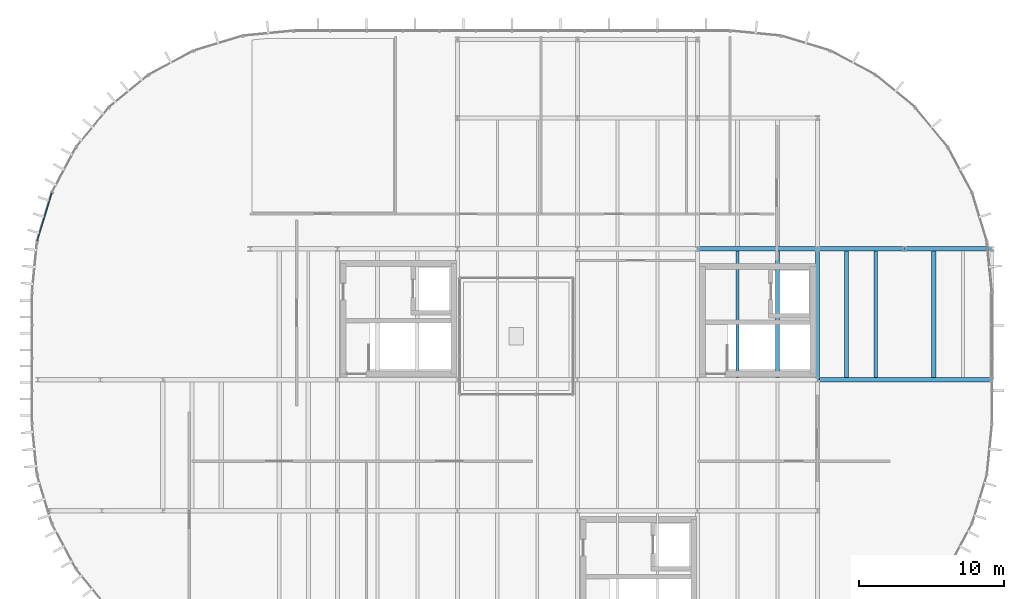
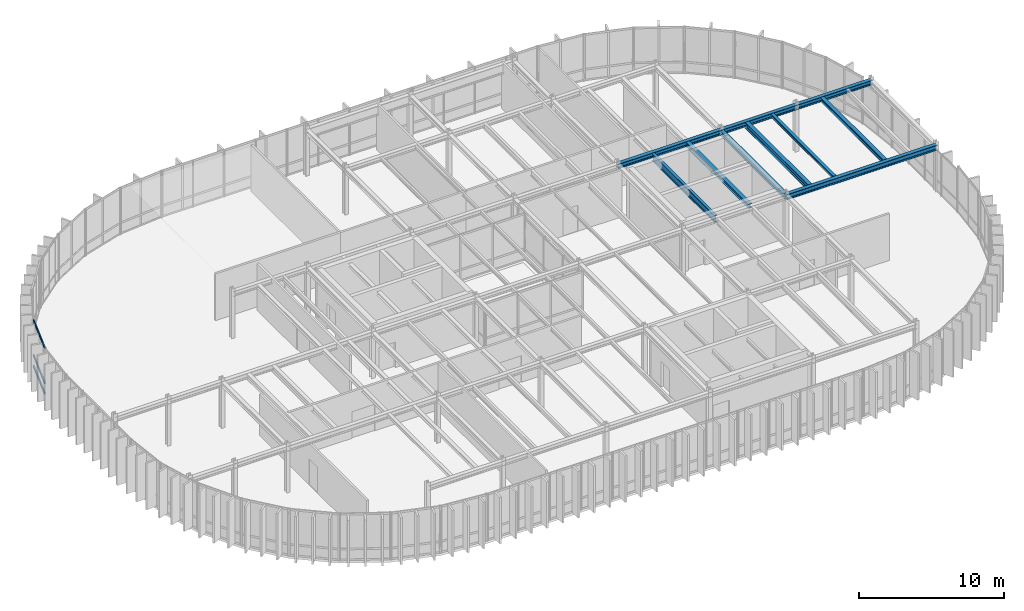
# One storey, part 12 of 21: 10 beams, 3 members, 1 element without a shape of its own.
"""IFC4 building model written with IfcOpenShell, lengths in metres."""

from ifc_helpers import new_model, si_unit, direction, frame, origin, origin_2d, place, context, subcontext, project, spatial, rectangle, i_section, extrude, material, layer, layer_set, material_profile, profile_set, type_object, element, aggregate, save


model = new_model("IFC4")

# Units and contexts
model_context = context("Model", 3, precision=1e-05, world=origin(), true_north=direction((0.0, 1.0)))
body_context = subcontext(model_context, "Body", "Model", "MODEL_VIEW")
ifc_project = project(units=[si_unit("LENGTHUNIT", "METRE"), si_unit("AREAUNIT", "SQUARE_METRE"), si_unit("VOLUMEUNIT", "CUBIC_METRE"), si_unit("PLANEANGLEUNIT", "RADIAN"), si_unit("MASSUNIT", "GRAM", prefix="KILO")], contexts=[model_context])

# Site, building, storey
site_placement = place(None, origin())
site = spatial("IfcSite", under=ifc_project, at=site_placement, CompositionType="ELEMENT")
building_placement = place(site_placement, origin())
building = spatial("IfcBuilding", under=site, at=building_placement, Name="Montealbar Specialist Clinic", CompositionType="ELEMENT")
storey_placement = place(building_placement, frame((0.0, 0.0, 26.39990234375)))
storey = spatial("IfcBuildingStorey", under=building, at=storey_placement, Name="L06", CompositionType="ELEMENT", Elevation=26.39990234375)

# Beams
ifc_material_1 = material(Name="Steel S355", Category="steel")
ifc_material_profile_1 = material_profile(ifc_material_1, i_section(OverallWidth=0.300048828125, OverallDepth=0.39990234375, WebThickness=0.013427734375, FlangeThickness=0.02392578125, FilletRadius=0.027099609375, at=origin_2d()), Name="HEB 400", Category="steel")
ifc_profile_set_1 = profile_set([ifc_material_profile_1], Name="Steel S355")
beam_type_1 = type_object("IfcBeamType", Name="BM-GIRD-HEB400-EXT", PredefinedType="BEAM", material=ifc_profile_set_1)
beam_1_placement = place(storey_placement, frame((90.75, 36.0, 3.72998046875), z_axis=(1.0, 0.0, 0.0), x_axis=(0.0, 1.0, 0.0)))
element("IfcBeam", 1, at=beam_1_placement, inside=storey, type_object=beam_type_1, Name="Beam GX-L06-908-990-360", PredefinedType="BEAM", context=body_context, shape_type="SweptSolid", body=[
    extrude(i_section(OverallWidth=0.300048828125, OverallDepth=0.39990234375, WebThickness=0.013427734375, FlangeThickness=0.02392578125, FilletRadius=0.027099609375, at=origin_2d()), origin(), (0.0, 0.0, 1.0), 8.25),
])
for number, where, z_axis, x_axis, name in (
    (2, (99.0, 36.0, 3.72998046875), (1.0, 0.0, 0.0), (0.0, 1.0, 0.0), "Beam GX-L06-990-1050-360"),
    (3, (105.0, 36.0, 3.72998046875), (1.0, 0.0, 0.0), (0.0, 1.0, 0.0), "Beam GX-L06-1050-1110-360"),
):
    element("IfcBeam", number, at=place(storey_placement, frame(where, z_axis=z_axis, x_axis=x_axis)), inside=storey, type_object=beam_type_1, Name=name, PredefinedType="BEAM", context=body_context, shape_type="SweptSolid", body=[
        extrude(i_section(OverallWidth=0.300048828125, OverallDepth=0.39990234375, WebThickness=0.013427734375, FlangeThickness=0.02392578125, FilletRadius=0.027099609375, at=origin_2d()), origin(), (0.0, 0.0, 1.0), 6.0),
    ])
beam_2_placement = place(storey_placement, frame((99.0, 27.0, 3.72998046875), z_axis=(0.0, 1.0, 0.0), x_axis=(-1.0, 0.0, 0.0)))
element("IfcBeam", 4, at=beam_2_placement, inside=storey, type_object=beam_type_1, Name="Beam GY-L06-990-270-360", PredefinedType="BEAM", context=body_context, shape_type="SweptSolid", body=[
    extrude(i_section(OverallWidth=0.300048828125, OverallDepth=0.39990234375, WebThickness=0.013427734375, FlangeThickness=0.02392578125, FilletRadius=0.027099609375, at=origin_2d()), origin(), (0.0, 0.0, 1.0), 9.0),
])
ifc_material_profile_2 = material_profile(ifc_material_1, i_section(OverallWidth=0.300048828125, OverallDepth=0.449951171875, WebThickness=0.013916015625, FlangeThickness=0.02587890625, FilletRadius=0.027099609375, at=origin_2d()), Name="HEB 450", Category="steel")
ifc_profile_set_2 = profile_set([ifc_material_profile_2], Name="Steel S355")
beam_type_2 = type_object("IfcBeamType", Name="BM-GIRD-HEB450-EXT", PredefinedType="BEAM", material=ifc_profile_set_2)
beam_3_placement = place(storey_placement, frame((99.0, 27.0, 3.705078125), z_axis=(1.0, 0.0, 0.0), x_axis=(0.0, 1.0, 0.0)))
element("IfcBeam", 5, at=beam_3_placement, inside=storey, type_object=beam_type_2, Name="Beam GX-L06-990-1110-270", PredefinedType="BEAM", context=body_context, shape_type="SweptSolid", body=[
    extrude(i_section(OverallWidth=0.300048828125, OverallDepth=0.449951171875, WebThickness=0.013916015625, FlangeThickness=0.02587890625, FilletRadius=0.027099609375, at=origin_2d()), origin(), (0.0, 0.0, 1.0), 12.0),
])
ifc_material_profile_3 = material_profile(ifc_material_1, i_section(OverallWidth=0.300048828125, OverallDepth=0.35009765625, WebThickness=0.010009765625, FlangeThickness=0.017578125, FilletRadius=0.027099609375, at=origin_2d()), Name="HEA 360", Category="steel")
ifc_profile_set_3 = profile_set([ifc_material_profile_3], Name="Steel S355")
beam_type_3 = type_object("IfcBeamType", Name="BM-JST-HEA360", PredefinedType="JOIST", material=ifc_profile_set_3)
beam_4_placement = place(storey_placement, frame((96.25, 27.14990234375, 3.755126953125), z_axis=(0.0, 1.0, 0.0), x_axis=(-1.0, 0.0, 0.0)))
element("IfcBeam", 6, at=beam_4_placement, inside=storey, type_object=beam_type_3, Name="Beam JST-L06-962-272-358", PredefinedType="JOIST", context=body_context, shape_type="SweptSolid", body=[
    extrude(i_section(OverallWidth=0.300048828125, OverallDepth=0.35009765625, WebThickness=0.010009765625, FlangeThickness=0.017578125, FilletRadius=0.027099609375, at=origin_2d()), origin(), (0.0, 0.0, 1.0), 8.7001953125),
])
ifc_material_profile_4 = material_profile(ifc_material_1, i_section(OverallWidth=0.300048828125, OverallDepth=0.489990234375, WebThickness=0.011962890625, FlangeThickness=0.02294921875, FilletRadius=0.027099609375, at=origin_2d()), Name="HEA 500", Category="steel")
ifc_profile_set_4 = profile_set([ifc_material_profile_4], Name="Steel S355")
beam_type_4 = type_object("IfcBeamType", Name="BM-JST-HEA500", PredefinedType="JOIST", material=ifc_profile_set_4)
beam_5_placement = place(storey_placement, frame((101.0, 27.14990234375, 3.68505859375), z_axis=(0.0, 1.0, 0.0), x_axis=(-1.0, 0.0, 0.0)))
element("IfcBeam", 7, at=beam_5_placement, inside=storey, type_object=beam_type_4, Name="Beam JST-L06-1010-272-358", PredefinedType="JOIST", context=body_context, shape_type="SweptSolid", body=[
    extrude(i_section(OverallWidth=0.300048828125, OverallDepth=0.489990234375, WebThickness=0.011962890625, FlangeThickness=0.02294921875, FilletRadius=0.027099609375, at=origin_2d()), origin(), (0.0, 0.0, 1.0), 8.7001953125),
])
ifc_material_profile_5 = material_profile(ifc_material_1, i_section(OverallWidth=0.239990234375, OverallDepth=0.239990234375, WebThickness=0.010009765625, FlangeThickness=0.01708984375, FilletRadius=0.02099609375, at=origin_2d()), Name="HEB 240", Category="steel")
ifc_profile_set_5 = profile_set([ifc_material_profile_5], Name="Steel S355")
beam_type_5 = type_object("IfcBeamType", Name="BM-JST-HEB240", PredefinedType="JOIST", material=ifc_profile_set_5)
beam_6_placement = place(storey_placement, frame((103.0, 27.14990234375, 3.81005859375), z_axis=(0.0, 1.0, 0.0), x_axis=(-1.0, 0.0, 0.0)))
element("IfcBeam", 8, at=beam_6_placement, inside=storey, type_object=beam_type_5, Name="Beam JST-L06-1030-272-358", PredefinedType="JOIST", context=body_context, shape_type="SweptSolid", body=[
    extrude(i_section(OverallWidth=0.239990234375, OverallDepth=0.239990234375, WebThickness=0.010009765625, FlangeThickness=0.01708984375, FilletRadius=0.02099609375, at=origin_2d()), origin(), (0.0, 0.0, 1.0), 8.7001953125),
])
ifc_material_profile_6 = material_profile(ifc_material_1, i_section(OverallWidth=0.300048828125, OverallDepth=0.320068359375, WebThickness=0.011474609375, FlangeThickness=0.0205078125, FilletRadius=0.027099609375, at=origin_2d()), Name="HEB 320", Category="steel")
ifc_profile_set_6 = profile_set([ifc_material_profile_6], Name="Steel S355")
beam_type_6 = type_object("IfcBeamType", Name="BM-JST-HEB320", PredefinedType="JOIST", material=ifc_profile_set_6)
beam_7_placement = place(storey_placement, frame((107.0, 27.14990234375, 3.77001953125), z_axis=(0.0, 1.0, 0.0), x_axis=(-1.0, 0.0, 0.0)))
element("IfcBeam", 9, at=beam_7_placement, inside=storey, type_object=beam_type_6, Name="Beam JST-L06-1070-272-358", PredefinedType="JOIST", context=body_context, shape_type="SweptSolid", body=[
    extrude(i_section(OverallWidth=0.300048828125, OverallDepth=0.320068359375, WebThickness=0.011474609375, FlangeThickness=0.0205078125, FilletRadius=0.027099609375, at=origin_2d()), origin(), (0.0, 0.0, 1.0), 8.7001953125),
])
ifc_material_profile_7 = material_profile(ifc_material_1, i_section(OverallWidth=0.219970703125, OverallDepth=0.60009765625, WebThickness=0.011962890625, FlangeThickness=0.01904296875, FilletRadius=0.02392578125, at=origin_2d()), Name="IPE 600", Category="steel")
ifc_profile_set_7 = profile_set([ifc_material_profile_7], Name="Steel S355")
beam_type_7 = type_object("IfcBeamType", Name="BM-JST-IPE600", PredefinedType="JOIST", material=ifc_profile_set_7)
beam_8_placement = place(storey_placement, frame((93.5, 27.14990234375, 3.630126953125), z_axis=(0.0, 1.0, 0.0), x_axis=(-1.0, 0.0, 0.0)))
element("IfcBeam", 10, at=beam_8_placement, inside=storey, type_object=beam_type_7, Name="Beam JST-L06-935-272-358", PredefinedType="JOIST", context=body_context, shape_type="SweptSolid", body=[
    extrude(i_section(OverallWidth=0.219970703125, OverallDepth=0.60009765625, WebThickness=0.011962890625, FlangeThickness=0.01904296875, FilletRadius=0.02392578125, at=origin_2d()), origin(), (0.0, 0.0, 1.0), 8.7001953125),
])

# Curtain wall, members
ifc_material_2 = material(Name="Low-E double glazing", Category="glass")
ifc_layer = layer(ifc_material_2, 0.199951171875, Name="Low-E double glazing", Category="glass")
ifc_layer_set = layer_set([ifc_layer], Name="Low-E double glazing")
curtain_wall_type = type_object("IfcCurtainWallType", Name="CW-TYPE-12", PredefinedType="NOTDEFINED", material=ifc_layer_set)
curtain_wall_placement = place(storey_placement, origin())
curtain_wall = element("IfcCurtainWall", 11, at=curtain_wall_placement, inside=storey, type_object=curtain_wall_type, Name="Unitised Curtain Wall CW-L06-453-365-464-399-264", PredefinedType="NOTDEFINED")
ifc_material_3 = material(Name="Powder-coated aluminium", Category="aluminium")
ifc_material_profile_8 = material_profile(ifc_material_3, rectangle(XDim=0.070068359375, YDim=0.139892578125, at=origin_2d()), Name="ALU 70x140", Category="aluminium")
ifc_profile_set_8 = profile_set([ifc_material_profile_8], Name="Powder-coated aluminium")
member_type = type_object("IfcMemberType", Name="CW-TRN-140", PredefinedType="USERDEFINED", material=ifc_profile_set_8)
member_1_placement = place(storey_placement, frame((45.361083984375, 36.56005859375, 0.0400390625), z_axis=(0.289993555849, 0.957028598092, 0.0), x_axis=(-0.957028598092, 0.289993555849, 0.0)))
member_1 = element("IfcMember", 12, at=member_1_placement, type_object=member_type, Name="Curtain Wall Transom CW-L06-453-365-464-399-264-00", ObjectType="TRANSOM", PredefinedType="USERDEFINED", context=body_context, shape_type="SweptSolid", body=[
    extrude(rectangle(XDim=0.070068359375, YDim=0.139892578125, at=origin_2d()), origin(), (0.0, 0.0, 1.0), 3.42724609375),
])
member_2_placement = place(storey_placement, frame((45.361083984375, 36.56005859375, 0.9501953125), z_axis=(0.289993555849, 0.957028598092, 0.0), x_axis=(-0.957028598092, 0.289993555849, 0.0)))
member_2 = element("IfcMember", 13, at=member_2_placement, type_object=member_type, Name="Curtain Wall Transom CW-L06-453-365-464-399-264-01", ObjectType="TRANSOM", PredefinedType="USERDEFINED", context=body_context, shape_type="SweptSolid", body=[
    extrude(rectangle(XDim=0.070068359375, YDim=0.139892578125, at=origin_2d()), origin(), (0.0, 0.0, 1.0), 3.42724609375),
])
member_3_placement = place(storey_placement, frame((45.361083984375, 36.56005859375, 3.89013671875), z_axis=(0.289993555849, 0.957028598092, 0.0), x_axis=(-0.957028598092, 0.289993555849, 0.0)))
member_3 = element("IfcMember", 14, at=member_3_placement, type_object=member_type, Name="Curtain Wall Transom CW-L06-453-365-464-399-264-02", ObjectType="TRANSOM", PredefinedType="USERDEFINED", context=body_context, shape_type="SweptSolid", body=[
    extrude(rectangle(XDim=0.070068359375, YDim=0.139892578125, at=origin_2d()), origin(), (0.0, 0.0, 1.0), 3.42724609375),
])
aggregate(curtain_wall, [member_1, member_2, member_3])

save(model, "model.ifc")
